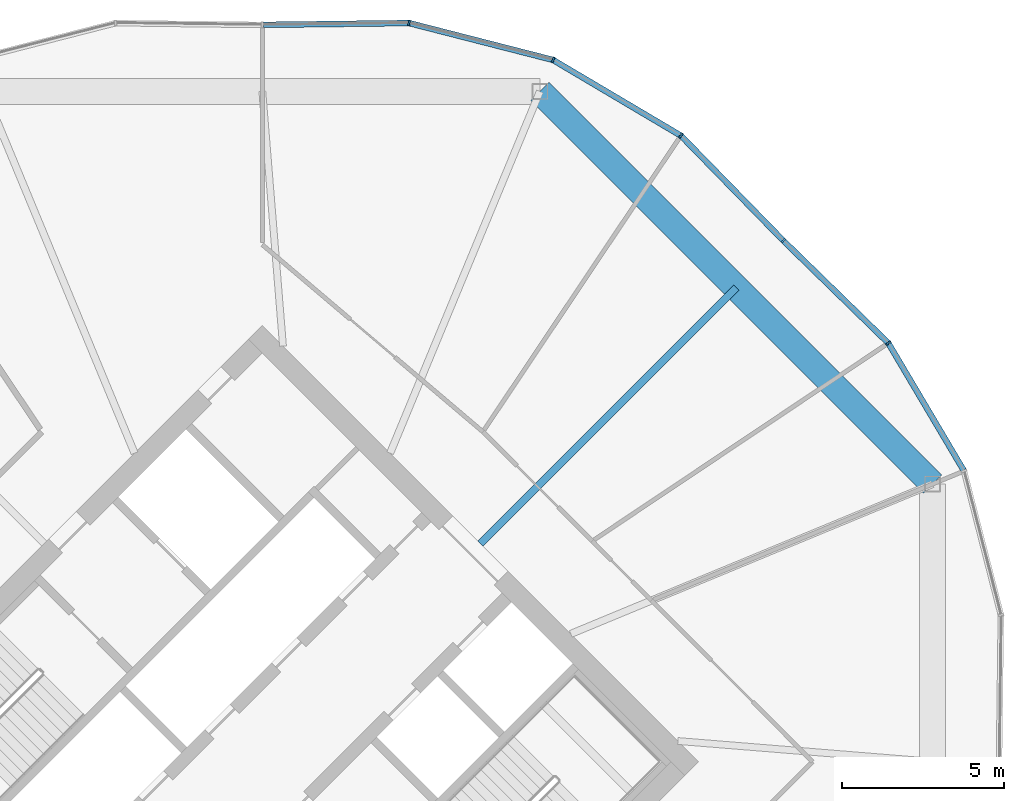
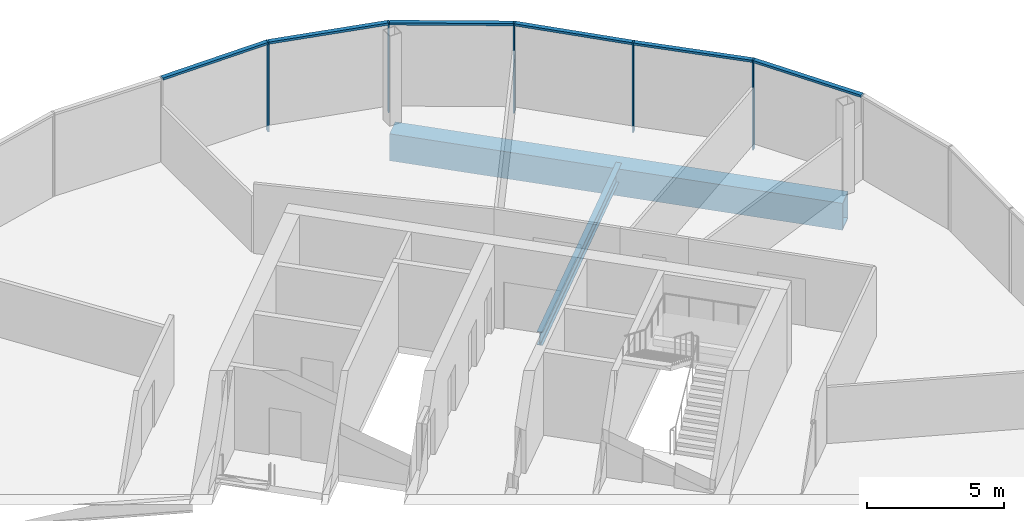
# One storey, part 16 of 25: 11 members, 2 beams, 2 elements without a shape of their own.
"""IFC4 building model written with IfcOpenShell, lengths in metres."""

from ifc_helpers import new_model, si_unit, direction, frame, origin, origin_2d, place, context, subcontext, project, spatial, rectangle, hollow_rectangle, i_section, extrude, material, material_profile, profile_set, type_object, element, aggregate, save


model = new_model("IFC4")

# Units and contexts
model_context = context("Model", 3, precision=1e-05, world=origin(), true_north=direction((0.0, 1.0)))
body_context = subcontext(model_context, "Body", "Model", "MODEL_VIEW")
ifc_project = project(units=[si_unit("LENGTHUNIT", "METRE"), si_unit("AREAUNIT", "SQUARE_METRE"), si_unit("VOLUMEUNIT", "CUBIC_METRE"), si_unit("PLANEANGLEUNIT", "RADIAN"), si_unit("MASSUNIT", "GRAM", prefix="KILO")], contexts=[model_context])

# Site, building, storey
site_placement = place(None, origin())
site = spatial("IfcSite", under=ifc_project, at=site_placement, CompositionType="ELEMENT")
building_placement = place(site_placement, origin())
building = spatial("IfcBuilding", under=site, at=building_placement, Name="Ogive Gate Towers", CompositionType="ELEMENT")
storey_placement = place(building_placement, frame((0.0, 0.0, 144.800048828125)))
storey = spatial("IfcBuildingStorey", under=building, at=storey_placement, Name="L34", CompositionType="ELEMENT", Elevation=144.800048828125)

# Beams
ifc_material_1 = material(Name="Steel SM460", Category="steel")
ifc_material_profile_1 = material_profile(ifc_material_1, hollow_rectangle(XDim=0.800048828125, YDim=1.199951171875, WallThickness=0.050048828125, at=origin_2d()), Name="BX 1200x800x50")
ifc_profile_set_1 = profile_set([ifc_material_profile_1], Name="Steel SM460")
beam_type_1 = type_object("IfcBeamType", Name="Edge girder BX 1200x800x50", PredefinedType="BEAM", material=ifc_profile_set_1)
beam_1_placement = place(storey_placement, frame((56.639404296875, 8.549072265625, -0.900146484375), z_axis=(-0.707106781187, 0.707106781187, 0.0), x_axis=(-0.707106781187, -0.707106781187, 0.0)))
element("IfcBeam", 1, at=beam_1_placement, inside=storey, type_object=beam_type_1, Name="T2/L34/SBM021", PredefinedType="BEAM", context=body_context, shape_type="SweptSolid", body=[
    extrude(hollow_rectangle(XDim=0.800048828125, YDim=1.199951171875, WallThickness=0.050048828125, at=origin_2d()), origin(), (0.0, 0.0, 1.0), 17.098388671875),
])
ifc_material_2 = material(Name="Steel SM355", Category="steel")
ifc_material_profile_2 = material_profile(ifc_material_2, i_section(OverallWidth=0.219970703125, OverallDepth=0.60009765625, WebThickness=0.011962890625, FlangeThickness=0.01904296875, FilletRadius=0.02392578125, at=origin_2d()), Name="IPE 600")
ifc_profile_set_2 = profile_set([ifc_material_profile_2], Name="Steel SM355")
beam_type_2 = type_object("IfcBeamType", Name="Radial floor beam IPE 600", PredefinedType="BEAM", material=ifc_profile_set_2)
beam_2_placement = place(storey_placement, frame((42.717529296875, 6.717529296875, -0.60009765625), z_axis=(0.707106781187, 0.707106781187, 0.0), x_axis=(-0.707106781187, 0.707106781187, 0.0)))
element("IfcBeam", 2, at=beam_2_placement, inside=storey, type_object=beam_type_2, Name="T2/L34/SBM010", PredefinedType="BEAM", context=body_context, shape_type="SweptSolid", body=[
    extrude(i_section(OverallWidth=0.219970703125, OverallDepth=0.60009765625, WebThickness=0.011962890625, FlangeThickness=0.01904296875, FilletRadius=0.02392578125, at=origin_2d()), origin(), (0.0, 0.0, 1.0), 11.139404296875),
])

# Curtain wall, members
ifc_material_3 = material(Name="Pale metal aluminium", Category="aluminium")
curtain_wall_type = type_object("IfcCurtainWallType", Name="Tower unitised wall, high zone", PredefinedType="NOTDEFINED", material=ifc_material_3)
curtain_wall_1_placement = place(storey_placement, origin())
curtain_wall_1 = element("IfcCurtainWall", 3, at=curtain_wall_1_placement, inside=storey, type_object=curtain_wall_type, Name="CW2 T2 ECW01", PredefinedType="NOTDEFINED")
ifc_material_profile_3 = material_profile(ifc_material_3, rectangle(XDim=0.179931640625, YDim=0.06005859375, at=origin_2d()), Name="60 x 180 aluminium box")
ifc_profile_set_3 = profile_set([ifc_material_profile_3], Name="Pale metal aluminium")
member_type_1 = type_object("IfcMemberType", Name="Tower unitised wall, high zone mullion 60 x 180", PredefinedType="MULLION", material=ifc_profile_set_3)
member_1_placement = place(storey_placement, frame((55.2783203125, 12.889892578125, -0.300048828125), z_axis=(0.0, 0.0, 1.0), x_axis=(0.786148223999, 0.618038000371, 0.0)))
member_1 = element("IfcMember", 4, at=member_1_placement, type_object=member_type_1, Name="CW2 mullion", PredefinedType="MULLION", context=body_context, shape_type="SweptSolid", body=[
    extrude(rectangle(XDim=0.179931640625, YDim=0.06005859375, at=origin_2d()), origin(), (0.0, 0.0, 1.0), 4.0),
])
member_2_placement = place(storey_placement, frame((52.044189453125, 16.044189453125, -0.300048828125), z_axis=(0.0, 0.0, 1.0), x_axis=(0.698240387858, 0.715863367385, 0.0)))
member_2 = element("IfcMember", 5, at=member_2_placement, type_object=member_type_1, Name="CW2 mullion", PredefinedType="MULLION", context=body_context, shape_type="SweptSolid", body=[
    extrude(rectangle(XDim=0.179931640625, YDim=0.06005859375, at=origin_2d()), origin(), (0.0, 0.0, 1.0), 4.0),
])

curtain_wall_2_placement = place(storey_placement, origin())
curtain_wall_2 = element("IfcCurtainWall", 6, at=curtain_wall_2_placement, inside=storey, type_object=curtain_wall_type, Name="CW2 T2 ECW02", PredefinedType="NOTDEFINED")
member_3_placement = place(storey_placement, frame((48.889892578125, 19.2783203125, -0.300048828125), z_axis=(0.0, 0.0, 1.0), x_axis=(0.618038000371, 0.786148223999, 0.0)))
member_3 = element("IfcMember", 7, at=member_3_placement, type_object=member_type_1, Name="CW2 mullion", PredefinedType="MULLION", context=body_context, shape_type="SweptSolid", body=[
    extrude(rectangle(XDim=0.179931640625, YDim=0.06005859375, at=origin_2d()), origin(), (0.0, 0.0, 1.0), 4.0),
])
member_4_placement = place(storey_placement, frame((44.951416015625, 21.610595703125, -0.300048828125), z_axis=(0.0, 0.0, 1.0), x_axis=(0.382683432365, 0.923879532511, 0.0)))
member_4 = element("IfcMember", 8, at=member_4_placement, type_object=member_type_1, Name="CW2 mullion", PredefinedType="MULLION", context=body_context, shape_type="SweptSolid", body=[
    extrude(rectangle(XDim=0.179931640625, YDim=0.06005859375, at=origin_2d()), origin(), (0.0, 0.0, 1.0), 4.0),
])
member_5_placement = place(storey_placement, frame((40.517333984375, 22.746337890625, -0.300048828125), z_axis=(0.0, 0.0, 1.0), x_axis=(0.118889208638, 0.992907526444, 0.0)))
member_5 = element("IfcMember", 9, at=member_5_placement, type_object=member_type_1, Name="CW2 mullion", PredefinedType="MULLION", context=body_context, shape_type="SweptSolid", body=[
    extrude(rectangle(XDim=0.179931640625, YDim=0.06005859375, at=origin_2d()), origin(), (0.0, 0.0, 1.0), 4.0),
])

# Member
ifc_material_profile_4 = material_profile(ifc_material_3, rectangle(XDim=0.179931640625, YDim=0.10009765625, at=origin_2d()), Name="100 x 180 aluminium box")
ifc_profile_set_4 = profile_set([ifc_material_profile_4], Name="Pale metal aluminium")
member_type_2 = type_object("IfcMemberType", Name="Tower unitised wall, high zone transom 100 x 180", PredefinedType="USERDEFINED", material=ifc_profile_set_4)
member_6_placement = place(storey_placement, frame((57.595703125, 8.975830078125, 3.64990234375), z_axis=(-0.509482534209, 0.860480997661, 0.0), x_axis=(-0.860480997661, -0.509482534209, 0.0)))
member_6 = element("IfcMember", 10, at=member_6_placement, type_object=member_type_2, Name="CW2 transom", ObjectType="TRANSOM", PredefinedType="USERDEFINED", context=body_context, shape_type="SweptSolid", body=[
    extrude(rectangle(XDim=0.179931640625, YDim=0.10009765625, at=origin_2d()), origin(), (0.0, 0.0, 1.0), 4.519775390625),
])

member_7_placement = place(storey_placement, frame((55.2578125, 12.909912109375, 3.64990234375), z_axis=(-0.71586738825, 0.698236265486, 0.0), x_axis=(-0.698236265486, -0.71586738825, 0.0)))
member_7 = element("IfcMember", 11, at=member_7_placement, type_object=member_type_2, Name="CW2 transom", ObjectType="TRANSOM", PredefinedType="USERDEFINED", context=body_context, shape_type="SweptSolid", body=[
    extrude(rectangle(XDim=0.179931640625, YDim=0.10009765625, at=origin_2d()), origin(), (0.0, 0.0, 1.0), 4.458740234375),
])

aggregate(curtain_wall_1, [member_1, member_6, member_2, member_7])

member_8_placement = place(storey_placement, frame((52.023193359375, 16.06591796875, 3.64990234375), z_axis=(-0.698236265486, 0.71586738825, 0.0), x_axis=(-0.71586738825, -0.698236265486, 0.0)))
member_8 = element("IfcMember", 12, at=member_8_placement, type_object=member_type_2, Name="CW2 transom", ObjectType="TRANSOM", PredefinedType="USERDEFINED", context=body_context, shape_type="SweptSolid", body=[
    extrude(rectangle(XDim=0.179931640625, YDim=0.10009765625, at=origin_2d()), origin(), (0.0, 0.0, 1.0), 4.458740234375),
])

member_9_placement = place(storey_placement, frame((48.864990234375, 19.29296875, 3.64990234375), z_axis=(-0.860480997661, 0.509482534209, 0.0), x_axis=(-0.509482534209, -0.860480997661, 0.0)))
member_9 = element("IfcMember", 13, at=member_9_placement, type_object=member_type_2, Name="CW2 transom", ObjectType="TRANSOM", PredefinedType="USERDEFINED", context=body_context, shape_type="SweptSolid", body=[
    extrude(rectangle(XDim=0.179931640625, YDim=0.10009765625, at=origin_2d()), origin(), (0.0, 0.0, 1.0), 4.519775390625),
])

member_10_placement = place(storey_placement, frame((44.923583984375, 21.617431640625, 3.64990234375), z_axis=(-0.968708835066, 0.248199905048, 0.0), x_axis=(-0.248199905048, -0.968708835066, 0.0)))
member_10 = element("IfcMember", 14, at=member_10_placement, type_object=member_type_2, Name="CW2 transom", ObjectType="TRANSOM", PredefinedType="USERDEFINED", context=body_context, shape_type="SweptSolid", body=[
    extrude(rectangle(XDim=0.179931640625, YDim=0.10009765625, at=origin_2d()), origin(), (0.0, 0.0, 1.0), 4.519775390625),
])

member_11_placement = place(storey_placement, frame((40.48876953125, 22.745849609375, 3.64990234375), z_axis=(-0.999922762686, -0.012428542251, 0.0), x_axis=(0.012428542251, -0.999922762686, 0.0)))
member_11 = element("IfcMember", 15, at=member_11_placement, type_object=member_type_2, Name="CW2 transom", ObjectType="TRANSOM", PredefinedType="USERDEFINED", context=body_context, shape_type="SweptSolid", body=[
    extrude(rectangle(XDim=0.179931640625, YDim=0.10009765625, at=origin_2d()), origin(), (0.0, 0.0, 1.0), 4.458984375),
])

aggregate(curtain_wall_2, [member_3, member_8, member_4, member_9, member_5, member_10, member_11])

save(model, "model.ifc")
